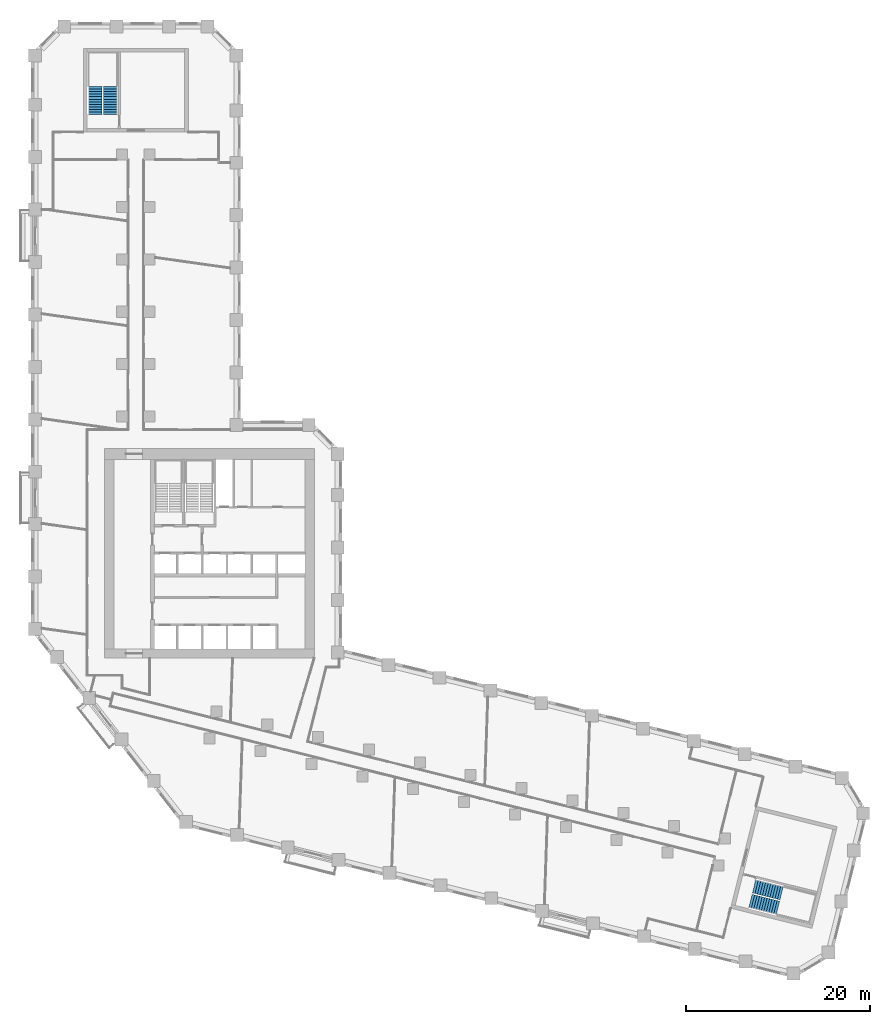
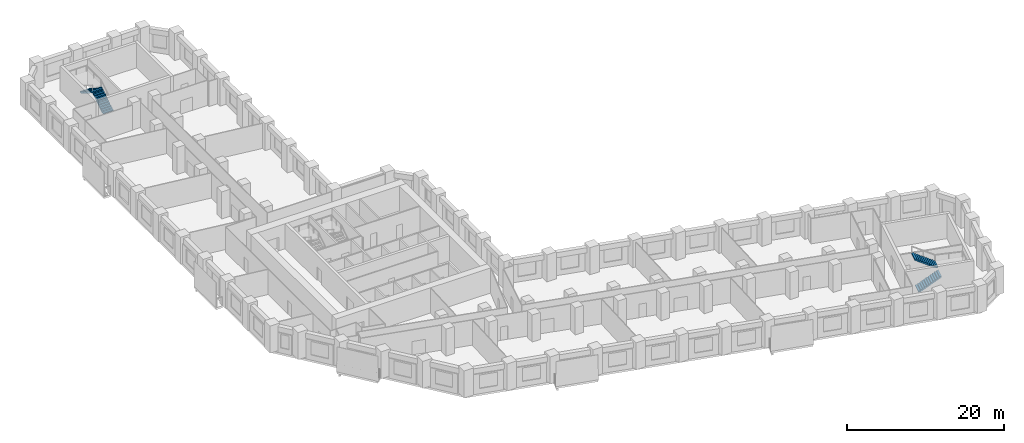
# One storey, part 10 of 11: 4 stair flights, 2 elements without a shape of their own.
"""IFC4 building model written with IfcOpenShell, lengths in metres."""

from ifc_helpers import new_model, si_unit, direction, frame, origin, place, context, subcontext, project, spatial, polyline, outline, extrude, material, type_object, element, aggregate, save


model = new_model("IFC4")

# Units and contexts
model_context = context("Model", 3, precision=1e-05, world=origin(), true_north=direction((0.0, 1.0)))
body_context = subcontext(model_context, "Body", "Model", "MODEL_VIEW")
ifc_project = project(units=[si_unit("LENGTHUNIT", "METRE"), si_unit("AREAUNIT", "SQUARE_METRE"), si_unit("VOLUMEUNIT", "CUBIC_METRE"), si_unit("PLANEANGLEUNIT", "RADIAN"), si_unit("MASSUNIT", "GRAM", prefix="KILO")], contexts=[model_context])

# Site, building, storey
site_placement = place(None, origin())
site = spatial("IfcSite", under=ifc_project, at=site_placement, CompositionType="ELEMENT")
building_placement = place(site_placement, origin())
building = spatial("IfcBuilding", under=site, at=building_placement, Name="Meshkara Civic Tower", CompositionType="ELEMENT")
storey_placement = place(building_placement, frame((0.0, 0.0, 75.0)))
storey = spatial("IfcBuildingStorey", under=building, at=storey_placement, Name="L16", CompositionType="ELEMENT", Elevation=75.0)

# Stair, stair flights
ifc_material_1 = material(Name="Precast concrete C40/50", Category="concrete")
stair_type = type_object("IfcStairType", Name="Exit stair half-turn 24 risers 1500 precast", PredefinedType="HALF_TURN_STAIR", material=ifc_material_1)
stair_1_placement = place(storey_placement, origin())
stair_1 = element("IfcStair", 1, at=stair_1_placement, inside=storey, type_object=stair_type, Name="L16 exit stair A from B2", PredefinedType="HALF_TURN_STAIR")
ifc_material_2 = material(Name="Precast concrete C40/50", Category="concrete")
stair_flight_type = type_object("IfcStairFlightType", Name="Exit stair flight 12 risers 1500 precast", PredefinedType="STRAIGHT", material=ifc_material_2)
stair_flight_1_placement = place(storey_placement, frame((8.625, 73.169921875, 0.0), z_axis=(0.0, 0.0, 1.0), x_axis=(0.0, 1.0, 0.0)))
stair_flight_1 = element("IfcStairFlight", 2, at=stair_flight_1_placement, type_object=stair_flight_type, Name="ESA1 flight 1", NumberOfRisers=12, NumberOfTreads=11, PredefinedType="STRAIGHT", RiserHeight=0.175, TreadLength=0.28, context=body_context, shape_type="SweptSolid", body=[
    extrude(outline(polyline([(0.0, 0.0), (0.0, 0.175048828125), (0.280029296875, 0.175048828125), (0.280029296875, 0.35009765625), (0.56005859375, 0.35009765625), (0.56005859375, 0.52490234375), (0.840087890625, 0.52490234375), (0.840087890625, 0.699951171875), (1.1201171875, 0.699951171875), (1.1201171875, 0.875), (1.39990234375, 0.875), (1.39990234375, 1.050048828125), (1.679931640625, 1.050048828125), (1.679931640625, 1.22509765625), (1.9599609375, 1.22509765625), (1.9599609375, 1.39990234375), (2.239990234375, 1.39990234375), (2.239990234375, 1.574951171875), (2.52001953125, 1.574951171875), (2.52001953125, 1.75), (2.800048828125, 1.75), (2.800048828125, 1.925048828125), (3.080078125, 1.925048828125), (3.080078125, 2.10009765625), (3.080078125, 1.748291015625), (0.28271484375, 0.0), (0.0, 0.0)])), frame((0.0, 0.75, 0.0), z_axis=(0.0, -1.0, 0.0), x_axis=(1.0, 0.0, 0.0)), (0.0, 0.0, 1.0), 1.5),
])
stair_flight_2_placement = place(storey_placement, frame((6.97509765625, 76.25, 2.10009765625), z_axis=(0.0, 0.0, 1.0), x_axis=(0.0, -1.0, 0.0)))
stair_flight_2 = element("IfcStairFlight", 3, at=stair_flight_2_placement, type_object=stair_flight_type, Name="ESA1 flight 2", NumberOfRisers=12, NumberOfTreads=11, PredefinedType="STRAIGHT", RiserHeight=0.175, TreadLength=0.28, context=body_context, shape_type="SweptSolid", body=[
    extrude(outline(polyline([(0.0, 0.0), (0.0, 0.175048828125), (0.280029296875, 0.175048828125), (0.280029296875, 0.35009765625), (0.56005859375, 0.35009765625), (0.56005859375, 0.52490234375), (0.840087890625, 0.52490234375), (0.840087890625, 0.699951171875), (1.1201171875, 0.699951171875), (1.1201171875, 0.875), (1.39990234375, 0.875), (1.39990234375, 1.050048828125), (1.679931640625, 1.050048828125), (1.679931640625, 1.22509765625), (1.9599609375, 1.22509765625), (1.9599609375, 1.39990234375), (2.239990234375, 1.39990234375), (2.239990234375, 1.574951171875), (2.52001953125, 1.574951171875), (2.52001953125, 1.75), (2.800048828125, 1.75), (2.800048828125, 1.925048828125), (3.080078125, 1.925048828125), (3.080078125, 2.10009765625), (3.080078125, 1.748291015625), (0.28271484375, 0.0), (0.0, 0.0)])), frame((0.0, 0.75, 0.0), z_axis=(0.0, -1.0, 0.0), x_axis=(1.0, 0.0, 0.0)), (0.0, 0.0, 1.0), 1.5),
])
aggregate(stair_1, [stair_flight_1, stair_flight_2])

stair_2_placement = place(storey_placement, origin())
stair_2 = element("IfcStair", 4, at=stair_2_placement, inside=storey, type_object=stair_type, Name="L16 exit stair B from B2", PredefinedType="HALF_TURN_STAIR")
stair_flight_3_placement = place(storey_placement, frame((78.214599609375, -12.3125, 0.0), z_axis=(0.0, 0.0, 1.0), x_axis=(0.970260066579, -0.242064873955, 0.0)))
stair_flight_3 = element("IfcStairFlight", 5, at=stair_flight_3_placement, type_object=stair_flight_type, Name="ESB1 flight 1", NumberOfRisers=12, NumberOfTreads=11, PredefinedType="STRAIGHT", RiserHeight=0.175, TreadLength=0.28, context=body_context, shape_type="SweptSolid", body=[
    extrude(outline(polyline([(0.0, 0.0), (0.0, 0.175048828125), (0.280029296875, 0.175048828125), (0.280029296875, 0.35009765625), (0.56005859375, 0.35009765625), (0.56005859375, 0.52490234375), (0.840087890625, 0.52490234375), (0.840087890625, 0.699951171875), (1.1201171875, 0.699951171875), (1.1201171875, 0.875), (1.39990234375, 0.875), (1.39990234375, 1.050048828125), (1.679931640625, 1.050048828125), (1.679931640625, 1.22509765625), (1.9599609375, 1.22509765625), (1.9599609375, 1.39990234375), (2.239990234375, 1.39990234375), (2.239990234375, 1.574951171875), (2.52001953125, 1.574951171875), (2.52001953125, 1.75), (2.800048828125, 1.75), (2.800048828125, 1.925048828125), (3.080078125, 1.925048828125), (3.080078125, 2.10009765625), (3.080078125, 1.748291015625), (0.28271484375, 0.0), (0.0, 0.0)])), frame((0.0, 0.75, 0.0), z_axis=(0.0, -1.0, 0.0), x_axis=(1.0, 0.0, 0.0)), (0.0, 0.0, 1.0), 1.5),
])
stair_flight_4_placement = place(storey_placement, frame((81.6025390625, -11.457275390625, 2.10009765625), z_axis=(0.0, 0.0, 1.0), x_axis=(-0.970260066579, 0.242064873955, 0.0)))
stair_flight_4 = element("IfcStairFlight", 6, at=stair_flight_4_placement, type_object=stair_flight_type, Name="ESB1 flight 2", NumberOfRisers=12, NumberOfTreads=11, PredefinedType="STRAIGHT", RiserHeight=0.175, TreadLength=0.28, context=body_context, shape_type="SweptSolid", body=[
    extrude(outline(polyline([(0.0, 0.0), (0.0, 0.175048828125), (0.280029296875, 0.175048828125), (0.280029296875, 0.35009765625), (0.56005859375, 0.35009765625), (0.56005859375, 0.52490234375), (0.840087890625, 0.52490234375), (0.840087890625, 0.699951171875), (1.1201171875, 0.699951171875), (1.1201171875, 0.875), (1.39990234375, 0.875), (1.39990234375, 1.050048828125), (1.679931640625, 1.050048828125), (1.679931640625, 1.22509765625), (1.9599609375, 1.22509765625), (1.9599609375, 1.39990234375), (2.239990234375, 1.39990234375), (2.239990234375, 1.574951171875), (2.52001953125, 1.574951171875), (2.52001953125, 1.75), (2.800048828125, 1.75), (2.800048828125, 1.925048828125), (3.080078125, 1.925048828125), (3.080078125, 2.10009765625), (3.080078125, 1.748291015625), (0.28271484375, 0.0), (0.0, 0.0)])), frame((0.0, 0.75, 0.0), z_axis=(0.0, -1.0, 0.0), x_axis=(1.0, 0.0, 0.0)), (0.0, 0.0, 1.0), 1.5),
])
aggregate(stair_2, [stair_flight_3, stair_flight_4])

save(model, "model.ifc")
